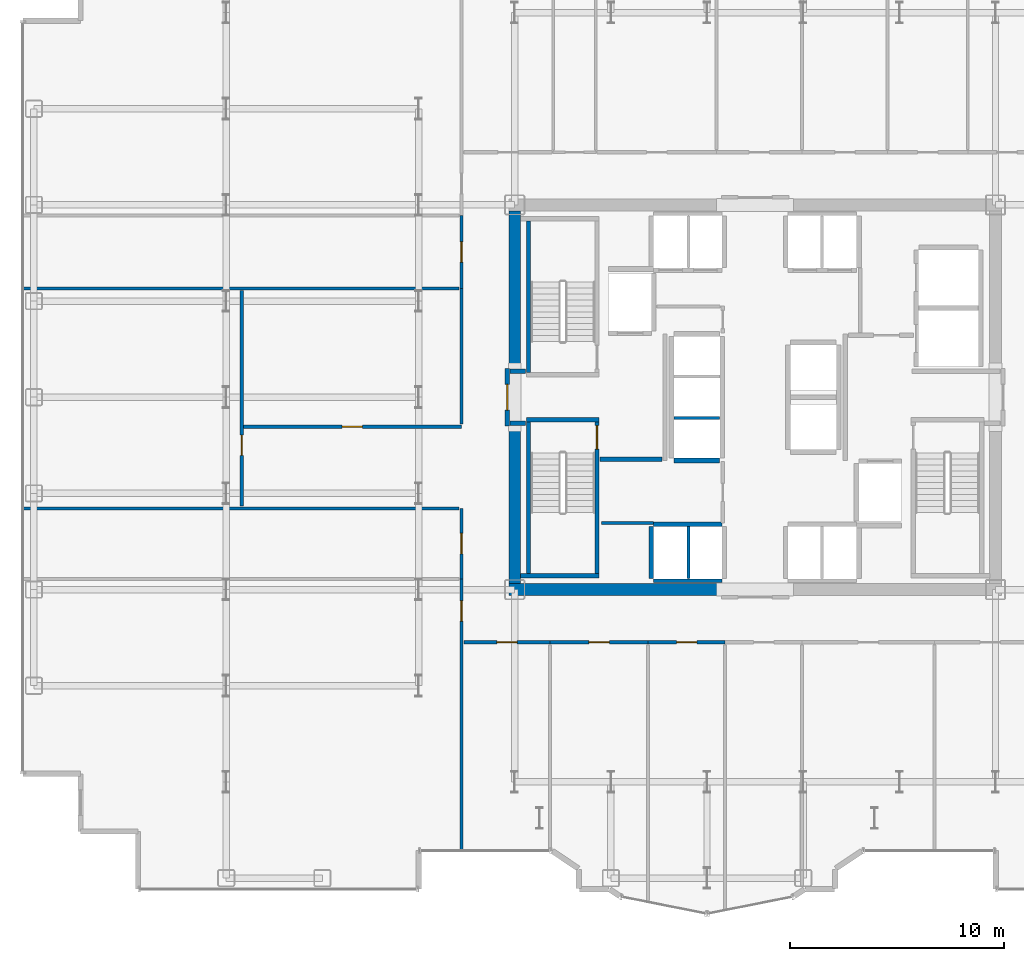
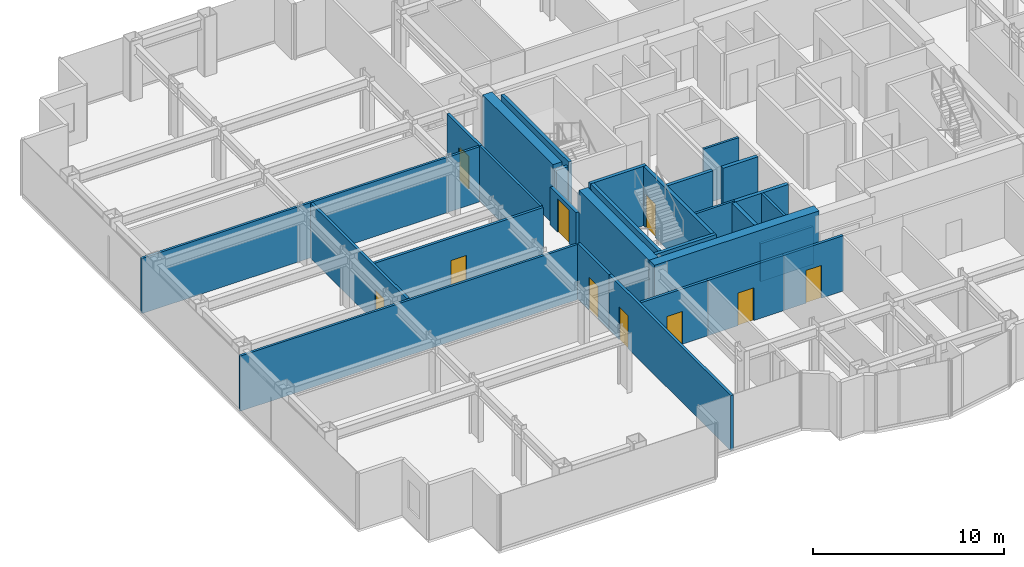
# One storey, part 20 of 26: 30 walls, 10 doors, 10 openings.
"""IFC4 building model written with IfcOpenShell, lengths in metres."""

from ifc_helpers import new_model, si_unit, direction, frame, frame_2d, origin, place, context, subcontext, project, spatial, rectangle, extrude, source, transform, mapped, material, layer, layer_set, type_object, element, fill, save


model = new_model("IFC4")

# Units and contexts
model_context = context("Model", 3, precision=1e-05, world=origin(), true_north=direction((0.0, 1.0)))
body_context = subcontext(model_context, "Body", "Model", "MODEL_VIEW")
ifc_project = project(units=[si_unit("LENGTHUNIT", "METRE"), si_unit("AREAUNIT", "SQUARE_METRE"), si_unit("VOLUMEUNIT", "CUBIC_METRE"), si_unit("PLANEANGLEUNIT", "RADIAN"), si_unit("MASSUNIT", "GRAM", prefix="KILO")], contexts=[model_context])

# Site, building, storey
site_placement = place(None, origin())
site = spatial("IfcSite", under=ifc_project, at=site_placement, CompositionType="ELEMENT")
building_placement = place(site_placement, origin())
building = spatial("IfcBuilding", under=site, at=building_placement, Name="Nefas-Gora Pilgrimage Tower", CompositionType="ELEMENT")
storey_placement = place(building_placement, frame((0.0, 0.0, 117.39990234375)))
storey = spatial("IfcBuildingStorey", under=building, at=storey_placement, Name="L28", CompositionType="ELEMENT", Elevation=117.39990234375)

# Walls
ifc_material_1 = material(Name="Concrete C60/75", Category="concrete")
ifc_layer_1 = layer(ifc_material_1, 0.550048828125)
ifc_layer_set_1 = layer_set([ifc_layer_1], Name="Concrete C60/75")
wall_type_1 = type_object("IfcWallType", Name="SW-CORE-550", PredefinedType="SHEAR", material=ifc_layer_set_1)
shared_shape_1 = source(origin(), body_context, "Body", "SweptSolid", [
    extrude(rectangle(XDim=9.974853515625, YDim=0.550048828125, at=frame_2d((4.9873046875, 0.0))), origin(), (0.0, 0.0, 1.0), 3.800048828125),
])
wall_1_placement = place(storey_placement, frame((-11.52490234375, -9.0, 0.0), z_axis=(0.0, 0.0, 1.0), x_axis=(1.0, 0.0, 0.0)))
element("IfcWall", 1, at=wall_1_placement, inside=storey, type_object=wall_type_1, Name="L28 Core Shear Wall S-West", PredefinedType="SHEAR", context=body_context, shape_type="MappedRepresentation", body=[
    mapped(shared_shape_1, transform((0.0, 0.0, 0.0), x_axis=(1.0, 0.0, 0.0), y_axis=(0.0, 1.0, 0.0), z_axis=(0.0, 0.0, 1.0), scale=1.0)),
])
shared_shape_2 = source(origin(), body_context, "Body", "SweptSolid", [
    extrude(rectangle(XDim=7.375, YDim=0.550048828125, at=frame_2d((3.6875, 0.0))), origin(), (0.0, 0.0, 1.0), 3.800048828125),
])
for number, where, z_axis, x_axis, name in (
    (2, (-11.25, -8.72509765625, 0.0), (0.0, 0.0, 1.0), (0.0, 1.0, 0.0), "L28 Core Shear Wall W-South"),
    (3, (-11.25, 1.35009765625, 0.0), (0.0, 0.0, 1.0), (0.0, 1.0, 0.0), "L28 Core Shear Wall W-North"),
):
    element("IfcWall", number, at=place(storey_placement, frame(where, z_axis=z_axis, x_axis=x_axis)), inside=storey, type_object=wall_type_1, Name=name, PredefinedType="SHEAR", context=body_context, shape_type="MappedRepresentation", body=[
        mapped(shared_shape_2, transform((0.0, 0.0, 0.0), x_axis=(1.0, 0.0, 0.0), y_axis=(0.0, 1.0, 0.0), z_axis=(0.0, 0.0, 1.0), scale=1.0)),
    ])
ifc_material_2 = material(Name="Concrete C45/55", Category="concrete")
ifc_layer_2 = layer(ifc_material_2, 0.199951171875)
ifc_layer_set_2 = layer_set([ifc_layer_2], Name="Concrete C45/55")
wall_type_2 = type_object("IfcWallType", Name="IW-STAIR-200", PredefinedType="SOLIDWALL", material=ifc_layer_set_2)
shared_shape_3 = source(origin(), body_context, "Body", "SweptSolid", [
    extrude(rectangle(XDim=3.39990234375, YDim=0.199951171875, at=frame_2d((1.699951171875, 0.0))), origin(), (0.0, 0.0, 1.0), 3.800048828125),
])
wall_2_placement = place(storey_placement, frame((-10.699951171875, -1.050048828125, 0.0), z_axis=(0.0, 0.0, 1.0), x_axis=(1.0, 0.0, 0.0)))
element("IfcWall", 4, at=wall_2_placement, inside=storey, type_object=wall_type_2, Name="L28 Stairwell Shear Wall ST-03-near", PredefinedType="SOLIDWALL", context=body_context, shape_type="MappedRepresentation", body=[
    mapped(shared_shape_3, transform((0.0, 0.0, 0.0), x_axis=(1.0, 0.0, 0.0), y_axis=(0.0, 1.0, 0.0), z_axis=(0.0, 0.0, 1.0), scale=1.0)),
])
shared_shape_4 = source(origin(), body_context, "Body", "SweptSolid", [
    extrude(rectangle(XDim=7.10009765625, YDim=0.199951171875, at=frame_2d((3.550048828125, 0.0))), origin(), (0.0, 0.0, 1.0), 3.800048828125),
])
for number, where, z_axis, x_axis, name in (
    (5, (-10.60009765625, 1.14990234375, 0.0), (0.0, 0.0, 1.0), (0.0, 1.0, 0.0), "L28 Stairwell Shear Wall ST-01-right"),
    (6, (-10.60009765625, -1.14990234375, 0.0), (0.0, 0.0, 1.0), (0.0, -1.0, 0.0), "L28 Stairwell Shear Wall ST-03-left"),
):
    element("IfcWall", number, at=place(storey_placement, frame(where, z_axis=z_axis, x_axis=x_axis)), inside=storey, type_object=wall_type_2, Name=name, PredefinedType="SOLIDWALL", context=body_context, shape_type="MappedRepresentation", body=[
        mapped(shared_shape_4, transform((0.0, 0.0, 0.0), x_axis=(1.0, 0.0, 0.0), y_axis=(0.0, 1.0, 0.0), z_axis=(0.0, 0.0, 1.0), scale=1.0)),
    ])

# Wall, opening, door
wall_3_placement = place(storey_placement, frame((-7.39990234375, -1.14990234375, 0.0), z_axis=(0.0, 0.0, 1.0), x_axis=(0.0, -1.0, 0.0)))
wall_3 = element("IfcWall", 7, at=wall_3_placement, inside=storey, type_object=wall_type_2, Name="L28 Stairwell Shear Wall ST-03-right", PredefinedType="SOLIDWALL", context=body_context, shape_type="MappedRepresentation", body=[
    mapped(shared_shape_4, transform((0.0, 0.0, 0.0), x_axis=(1.0, 0.0, 0.0), y_axis=(0.0, 1.0, 0.0), z_axis=(0.0, 0.0, 1.0), scale=1.0)),
])
opening_1_placement = place(wall_3_placement, frame((0.179931640625, 0.0, 0.0)))
opening_1 = element("IfcOpeningElement", 8, at=opening_1_placement, cuts=wall_3, Name="Opening ID-ST1", PredefinedType="OPENING", context=body_context, shape_type="SweptSolid", body=[
    extrude(rectangle(XDim=1.10009765625, YDim=2.14990234375, at=frame_2d((0.550048828125, 1.074951171875))), frame((0.0, 0.10986328125, 0.0), z_axis=(0.0, -1.0, 0.0), x_axis=(1.0, 0.0, 0.0)), (0.0, 0.0, 1.0), 0.219970703125),
])
ifc_material_3 = material(Name="Painted galvanised steel fire stair door", Category="steel")
door_type_1 = type_object("IfcDoorType", Name="DR-INT-STAIR-1100", OperationType="NOTDEFINED", PredefinedType="DOOR", material=ifc_material_3)
shared_shape_5 = source(origin(), body_context, "Body", "SweptSolid", [
    extrude(rectangle(XDim=1.10009765625, YDim=2.14990234375, at=frame_2d((0.550048828125, 1.074951171875))), frame((0.0, 0.02490234375, 0.0), z_axis=(0.0, -1.0, 0.0), x_axis=(1.0, 0.0, 0.0)), (0.0, 0.0, 1.0), 0.050048828125),
])
door_1_placement = place(opening_1_placement, origin())
door_1 = element("IfcDoor", 9, at=door_1_placement, inside=storey, type_object=door_type_1, Name="L28 Protected Exit Stair Door ST-03", OperationType="SINGLE_SWING_RIGHT", OverallHeight=2.14990234375, OverallWidth=1.10009765625, PredefinedType="DOOR", context=body_context, shape_type="MappedRepresentation", body=[
    mapped(shared_shape_5, transform((0.0, 0.0, 0.0), x_axis=(1.0, 0.0, 0.0), y_axis=(0.0, 1.0, 0.0), z_axis=(0.0, 0.0, 1.0), scale=1.0)),
])
fill(opening_1, door_1)

# Walls
shared_shape_6 = source(origin(), body_context, "Body", "SweptSolid", [
    extrude(rectangle(XDim=3.679931640625, YDim=0.199951171875, at=frame_2d((1.83984375, 0.0))), origin(), (0.0, 0.0, 1.0), 3.800048828125),
])
wall_4_placement = place(storey_placement, frame((-10.97998046875, -8.35009765625, 0.0), z_axis=(0.0, 0.0, 1.0), x_axis=(1.0, 0.0, 0.0)))
element("IfcWall", 10, at=wall_4_placement, inside=storey, type_object=wall_type_2, Name="L28 Stairwell Shear Wall ST-03-far", PredefinedType="SOLIDWALL", context=body_context, shape_type="MappedRepresentation", body=[
    mapped(shared_shape_6, transform((0.0, 0.0, 0.0), x_axis=(1.0, 0.0, 0.0), y_axis=(0.0, 1.0, 0.0), z_axis=(0.0, 0.0, 1.0), scale=1.0)),
])
ifc_material_4 = material(Name="Gypsum acoustic stud partition")
ifc_layer_3 = layer(ifc_material_4, 0.159912109375)
ifc_layer_set_3 = layer_set([ifc_layer_3], Name="Gypsum acoustic stud partition")
wall_type_3 = type_object("IfcWallType", Name="IW-CORR-160", PredefinedType="PARTITIONING", material=ifc_layer_set_3)
shared_shape_7 = source(origin(), body_context, "Body", "SweptSolid", [
    extrude(rectangle(XDim=3.199951171875, YDim=0.159912109375, at=frame_2d((1.60009765625, 0.0))), origin(), (0.0, 0.0, 1.0), 2.425048828125),
])
wall_5_placement = place(storey_placement, frame((-4.75, -8.580078125, 0.0), z_axis=(0.0, 0.0, 1.0), x_axis=(1.0, 0.0, 0.0)))
element("IfcWall", 11, at=wall_5_placement, inside=storey, type_object=wall_type_3, Name="L28 Hoistway Wall PL2-W-S", PredefinedType="PARTITIONING", context=body_context, shape_type="MappedRepresentation", body=[
    mapped(shared_shape_7, transform((0.0, 0.0, 0.0), x_axis=(1.0, 0.0, 0.0), y_axis=(0.0, 1.0, 0.0), z_axis=(0.0, 0.0, 1.0), scale=1.0)),
])
ifc_material_5 = material(Name="Concrete C40/50", Category="concrete")
ifc_layer_4 = layer(ifc_material_5, 0.219970703125)
ifc_layer_set_4 = layer_set([ifc_layer_4], Name="Concrete C40/50")
wall_type_4 = type_object("IfcWallType", Name="IW-SHAFT-220", PredefinedType="SOLIDWALL", material=ifc_layer_set_4)
shared_shape_8 = source(origin(), body_context, "Body", "SweptSolid", [
    extrude(rectangle(XDim=3.199951171875, YDim=0.219970703125, at=frame_2d((1.60009765625, 0.0))), origin(), (0.0, 0.0, 1.0), 3.53515625),
])
wall_6_placement = place(storey_placement, frame((-1.550048828125, -5.93994140625, 0.0), z_axis=(0.0, 0.0, 1.0), x_axis=(-1.0, 0.0, 0.0)))
element("IfcWall", 12, at=wall_6_placement, inside=storey, type_object=wall_type_4, Name="L28 Hoistway Wall PL2-W-N", PredefinedType="SOLIDWALL", context=body_context, shape_type="MappedRepresentation", body=[
    mapped(shared_shape_8, transform((0.0, 0.0, 0.0), x_axis=(1.0, 0.0, 0.0), y_axis=(0.0, 1.0, 0.0), z_axis=(0.0, 0.0, 1.0), scale=1.0)),
])
shared_shape_9 = source(origin(), body_context, "Body", "SweptSolid", [
    extrude(rectangle(XDim=2.429931640625, YDim=0.219970703125, at=frame_2d((1.21484375, 0.0))), origin(), (0.0, 0.0, 1.0), 3.53515625),
])
wall_7_placement = place(storey_placement, frame((-4.860107421875, -6.06005859375, 0.0), z_axis=(0.0, 0.0, 1.0), x_axis=(0.0, -1.0, 0.0)))
element("IfcWall", 13, at=wall_7_placement, inside=storey, type_object=wall_type_4, Name="L28 Hoistway Wall PL2-W-W", PredefinedType="SOLIDWALL", context=body_context, shape_type="MappedRepresentation", body=[
    mapped(shared_shape_9, transform((0.0, 0.0, 0.0), x_axis=(1.0, 0.0, 0.0), y_axis=(0.0, 1.0, 0.0), z_axis=(0.0, 0.0, 1.0), scale=1.0)),
])
ifc_material_6 = material(Name="Gypsum twin-stud partition")
ifc_layer_5 = layer(ifc_material_6, 0.139892578125)
ifc_layer_set_5 = layer_set([ifc_layer_5], Name="Gypsum twin-stud partition")
wall_type_5 = type_object("IfcWallType", Name="IW-UNIT-140", PredefinedType="PARTITIONING", material=ifc_layer_set_5)
shared_shape_10 = source(origin(), body_context, "Body", "SweptSolid", [
    extrude(rectangle(XDim=2.429931640625, YDim=0.139892578125, at=frame_2d((1.21484375, 0.0))), origin(), (0.0, 0.0, 1.0), 3.53515625),
])
wall_8_placement = place(storey_placement, frame((-3.125, -8.489990234375, 0.0), z_axis=(0.0, 0.0, 1.0), x_axis=(0.0, 1.0, 0.0)))
element("IfcWall", 14, at=wall_8_placement, inside=storey, type_object=wall_type_5, Name="L28 Hoistway Wall PL2-W-DIV", PredefinedType="PARTITIONING", context=body_context, shape_type="MappedRepresentation", body=[
    mapped(shared_shape_10, transform((0.0, 0.0, 0.0), x_axis=(1.0, 0.0, 0.0), y_axis=(0.0, 1.0, 0.0), z_axis=(0.0, 0.0, 1.0), scale=1.0)),
])
shared_shape_11 = source(origin(), body_context, "Body", "SweptSolid", [
    extrude(rectangle(XDim=2.130126953125, YDim=0.219970703125, at=frame_2d((1.06494140625, 0.0))), origin(), (0.0, 0.0, 1.0), 3.53515625),
])
wall_9_placement = place(storey_placement, frame((-3.7900390625, -2.9599609375, 0.0), z_axis=(0.0, 0.0, 1.0), x_axis=(1.0, 0.0, 0.0)))
element("IfcWall", 15, at=wall_9_placement, inside=storey, type_object=wall_type_4, Name="L28 Hoistway Wall PL3-01-S", PredefinedType="SOLIDWALL", context=body_context, shape_type="MappedRepresentation", body=[
    mapped(shared_shape_11, transform((0.0, 0.0, 0.0), x_axis=(1.0, 0.0, 0.0), y_axis=(0.0, 1.0, 0.0), z_axis=(0.0, 0.0, 1.0), scale=1.0)),
])
shared_shape_12 = source(origin(), body_context, "Body", "SweptSolid", [
    extrude(rectangle(XDim=2.130126953125, YDim=0.139892578125, at=frame_2d((1.06494140625, 0.0))), origin(), (0.0, 0.0, 1.0), 3.53515625),
])
wall_10_placement = place(storey_placement, frame((-3.7900390625, -0.97509765625, 0.0), z_axis=(0.0, 0.0, 1.0), x_axis=(1.0, 0.0, 0.0)))
element("IfcWall", 16, at=wall_10_placement, inside=storey, type_object=wall_type_5, Name="L28 Hoistway Wall PL3-01-02-DIV", PredefinedType="PARTITIONING", context=body_context, shape_type="MappedRepresentation", body=[
    mapped(shared_shape_12, transform((0.0, 0.0, 0.0), x_axis=(1.0, 0.0, 0.0), y_axis=(0.0, 1.0, 0.0), z_axis=(0.0, 0.0, 1.0), scale=1.0)),
])

# Wall, opening, door
ifc_material_7 = material(Name="Gypsum fire-rated shaftwall")
ifc_layer_6 = layer(ifc_material_7, 0.199951171875)
ifc_layer_set_6 = layer_set([ifc_layer_6], Name="Gypsum fire-rated shaftwall")
wall_type_6 = type_object("IfcWallType", Name="IW-FFLOB-200", PredefinedType="PARTITIONING", material=ifc_layer_set_6)
shared_shape_13 = source(origin(), body_context, "Body", "SweptSolid", [
    extrude(rectangle(XDim=2.7001953125, YDim=0.199951171875, at=frame_2d((1.35009765625, 0.0))), origin(), (0.0, 0.0, 1.0), 2.425048828125),
])
wall_11_placement = place(storey_placement, frame((-11.60009765625, -1.35009765625, 0.0), z_axis=(0.0, 0.0, 1.0), x_axis=(0.0, 1.0, 0.0)))
wall_11 = element("IfcWall", 17, at=wall_11_placement, inside=storey, type_object=wall_type_6, Name="L28 FF Lobby West Portal Wall 3", PredefinedType="PARTITIONING", context=body_context, shape_type="MappedRepresentation", body=[
    mapped(shared_shape_13, transform((0.0, 0.0, 0.0), x_axis=(1.0, 0.0, 0.0), y_axis=(0.0, 1.0, 0.0), z_axis=(0.0, 0.0, 1.0), scale=1.0)),
])
opening_2_placement = place(wall_11_placement, frame((0.75, 0.0, 0.0)))
opening_2 = element("IfcOpeningElement", 18, at=opening_2_placement, cuts=wall_11, Name="Opening ID-FF1", PredefinedType="OPENING", context=body_context, shape_type="SweptSolid", body=[
    extrude(rectangle(XDim=1.199951171875, YDim=2.14990234375, at=frame_2d((0.60009765625, 1.074951171875))), frame((0.0, 0.10986328125, 0.0), z_axis=(0.0, -1.0, 0.0), x_axis=(1.0, 0.0, 0.0)), (0.0, 0.0, 1.0), 0.219970703125),
])
ifc_material_8 = material(Name="Smoke-sealed steel firefighting lobby door", Category="steel")
door_type_2 = type_object("IfcDoorType", Name="DR-INT-FFLOB-1200", OperationType="NOTDEFINED", PredefinedType="DOOR", material=ifc_material_8)
shared_shape_14 = source(origin(), body_context, "Body", "SweptSolid", [
    extrude(rectangle(XDim=1.199951171875, YDim=2.14990234375, at=frame_2d((0.60009765625, 1.074951171875))), frame((0.0, 0.02490234375, 0.0), z_axis=(0.0, -1.0, 0.0), x_axis=(1.0, 0.0, 0.0)), (0.0, 0.0, 1.0), 0.050048828125),
])
door_2_placement = place(opening_2_placement, origin())
door_2 = element("IfcDoor", 19, at=door_2_placement, inside=storey, type_object=door_type_2, Name="L28 FF Lobby West Portal Door 1", OperationType="SINGLE_SWING_RIGHT", OverallHeight=2.14990234375, OverallWidth=1.199951171875, PredefinedType="DOOR", context=body_context, shape_type="MappedRepresentation", body=[
    mapped(shared_shape_14, transform((0.0, 0.0, 0.0), x_axis=(1.0, 0.0, 0.0), y_axis=(0.0, 1.0, 0.0), z_axis=(0.0, 0.0, 1.0), scale=1.0)),
])
fill(opening_2, door_2)

# Walls
shared_shape_15 = source(origin(), body_context, "Body", "SweptSolid", [
    extrude(rectangle(XDim=2.89990234375, YDim=0.199951171875, at=frame_2d((1.449951171875, 0.0))), origin(), (0.0, 0.0, 1.0), 3.53515625),
])
wall_12_placement = place(storey_placement, frame((-7.260009765625, -2.89990234375, 0.0), z_axis=(0.0, 0.0, 1.0), x_axis=(1.0, 0.0, 0.0)))
element("IfcWall", 20, at=wall_12_placement, inside=storey, type_object=wall_type_6, Name="L28 FF Lobby West South Wall Wall 5", PredefinedType="PARTITIONING", context=body_context, shape_type="MappedRepresentation", body=[
    mapped(shared_shape_15, transform((0.0, 0.0, 0.0), x_axis=(1.0, 0.0, 0.0), y_axis=(0.0, 1.0, 0.0), z_axis=(0.0, 0.0, 1.0), scale=1.0)),
])
shared_shape_16 = source(origin(), body_context, "Body", "SweptSolid", [
    extrude(rectangle(XDim=0.719970703125, YDim=0.199951171875, at=frame_2d((0.35986328125, 0.0))), origin(), (0.0, 0.0, 1.0), 3.53515625),
])
for number, where, z_axis, x_axis, name in (
    (21, (-11.4599609375, 1.219970703125, 0.0), (0.0, 0.0, 1.0), (1.0, 0.0, 0.0), "L28 FF Lobby West Throat N Wall 6"),
    (22, (-11.4599609375, -1.219970703125, 0.0), (0.0, 0.0, 1.0), (1.0, 0.0, 0.0), "L28 FF Lobby West Throat S Wall 7"),
):
    element("IfcWall", number, at=place(storey_placement, frame(where, z_axis=z_axis, x_axis=x_axis)), inside=storey, type_object=wall_type_6, Name=name, PredefinedType="PARTITIONING", context=body_context, shape_type="MappedRepresentation", body=[
        mapped(shared_shape_16, transform((0.0, 0.0, 0.0), x_axis=(1.0, 0.0, 0.0), y_axis=(0.0, 1.0, 0.0), z_axis=(0.0, 0.0, 1.0), scale=1.0)),
    ])

# Wall, opening, door
shared_shape_17 = source(origin(), body_context, "Body", "SweptSolid", [
    extrude(rectangle(XDim=12.744873046875, YDim=0.159912109375, at=frame_2d((6.37255859375, 0.0))), origin(), (0.0, 0.0, 1.0), 3.53515625),
])
wall_13_placement = place(storey_placement, frame((-13.739990234375, -21.239990234375, 0.0), z_axis=(0.0, 0.0, 1.0), x_axis=(0.0, 1.0, 0.0)))
wall_13 = element("IfcWall", 23, at=wall_13_placement, inside=storey, type_object=wall_type_3, Name="L28 Pilgrim Devotional Prayer Gallery Partition Wall 23", PredefinedType="PARTITIONING", context=body_context, shape_type="MappedRepresentation", body=[
    mapped(shared_shape_17, transform((0.0, 0.0, 0.0), x_axis=(1.0, 0.0, 0.0), y_axis=(0.0, 1.0, 0.0), z_axis=(0.0, 0.0, 1.0), scale=1.0)),
])
opening_3_placement = place(wall_13_placement, frame((10.762451171875, 0.0, 0.0)))
opening_3 = element("IfcOpeningElement", 24, at=opening_3_placement, cuts=wall_13, Name="Opening ID-GR1", PredefinedType="OPENING", context=body_context, shape_type="SweptSolid", body=[
    extrude(rectangle(XDim=0.949951171875, YDim=2.10009765625, at=frame_2d((0.47509765625, 1.050048828125))), frame((0.0, 0.08984375, 0.0), z_axis=(0.0, -1.0, 0.0), x_axis=(1.0, 0.0, 0.0)), (0.0, 0.0, 1.0), 0.179931640625),
])
ifc_material_9 = material(Name="Solid core oak fire-rated guest entrance door")
door_type_3 = type_object("IfcDoorType", Name="DR-INT-GUEST-950", OperationType="NOTDEFINED", PredefinedType="DOOR", material=ifc_material_9)
shared_shape_18 = source(origin(), body_context, "Body", "SweptSolid", [
    extrude(rectangle(XDim=0.949951171875, YDim=2.10009765625, at=frame_2d((0.47509765625, 1.050048828125))), frame((0.0, 0.02490234375, 0.0), z_axis=(0.0, -1.0, 0.0), x_axis=(1.0, 0.0, 0.0)), (0.0, 0.0, 1.0), 0.050048828125),
])
door_3_placement = place(opening_3_placement, origin())
door_3 = element("IfcDoor", 25, at=door_3_placement, inside=storey, type_object=door_type_3, Name="L28 Pilgrim Devotional Prayer Gallery Door 9", OperationType="SINGLE_SWING_RIGHT", OverallHeight=2.10009765625, OverallWidth=0.949951171875, PredefinedType="DOOR", context=body_context, shape_type="MappedRepresentation", body=[
    mapped(shared_shape_18, transform((0.0, 0.0, 0.0), x_axis=(1.0, 0.0, 0.0), y_axis=(0.0, 1.0, 0.0), z_axis=(0.0, 0.0, 1.0), scale=1.0)),
])
fill(opening_3, door_3)

shared_shape_19 = source(origin(), body_context, "Body", "SweptSolid", [
    extrude(rectangle(XDim=3.409912109375, YDim=0.159912109375, at=frame_2d((1.705078125, 0.0))), origin(), (0.0, 0.0, 1.0), 3.53515625),
])
wall_14_placement = place(storey_placement, frame((-13.739990234375, 5.094970703125, 0.0), z_axis=(0.0, 0.0, 1.0), x_axis=(0.0, 1.0, 0.0)))
wall_14 = element("IfcWall", 26, at=wall_14_placement, inside=storey, type_object=wall_type_3, Name="L28 Pilgrim Fellowship Seminar Room Partition Wall 31", PredefinedType="PARTITIONING", context=body_context, shape_type="MappedRepresentation", body=[
    mapped(shared_shape_19, transform((0.0, 0.0, 0.0), x_axis=(1.0, 0.0, 0.0), y_axis=(0.0, 1.0, 0.0), z_axis=(0.0, 0.0, 1.0), scale=1.0)),
])
opening_4_placement = place(wall_14_placement, frame((1.22998046875, 0.0, 0.0)))
opening_4 = element("IfcOpeningElement", 27, at=opening_4_placement, cuts=wall_14, Name="Opening ID-GR1", PredefinedType="OPENING", context=body_context, shape_type="SweptSolid", body=[
    extrude(rectangle(XDim=0.949951171875, YDim=2.10009765625, at=frame_2d((0.47509765625, 1.050048828125))), frame((0.0, 0.08984375, 0.0), z_axis=(0.0, -1.0, 0.0), x_axis=(1.0, 0.0, 0.0)), (0.0, 0.0, 1.0), 0.179931640625),
])
door_4_placement = place(opening_4_placement, origin())
door_4 = element("IfcDoor", 28, at=door_4_placement, inside=storey, type_object=door_type_3, Name="L28 Pilgrim Fellowship Seminar Room Door 13", OperationType="SINGLE_SWING_RIGHT", OverallHeight=2.10009765625, OverallWidth=0.949951171875, PredefinedType="DOOR", context=body_context, shape_type="MappedRepresentation", body=[
    mapped(shared_shape_18, transform((0.0, 0.0, 0.0), x_axis=(1.0, 0.0, 0.0), y_axis=(0.0, 1.0, 0.0), z_axis=(0.0, 0.0, 1.0), scale=1.0)),
])
fill(opening_4, door_4)

shared_shape_20 = source(origin(), body_context, "Body", "SweptSolid", [
    extrude(rectangle(XDim=10.25, YDim=0.159912109375, at=frame_2d((5.125, 0.0))), origin(), (0.0, 0.0, 1.0), 3.53515625),
])
wall_15_placement = place(storey_placement, frame((-23.97998046875, -1.3798828125, 0.0), z_axis=(0.0, 0.0, 1.0), x_axis=(1.0, 0.0, 0.0)))
wall_15 = element("IfcWall", 29, at=wall_15_placement, inside=storey, type_object=wall_type_3, Name="L28 Pilgrim Devotional Prayer Gallery Partition Wall 27", PredefinedType="PARTITIONING", context=body_context, shape_type="MappedRepresentation", body=[
    mapped(shared_shape_20, transform((0.0, 0.0, 0.0), x_axis=(1.0, 0.0, 0.0), y_axis=(0.0, 1.0, 0.0), z_axis=(0.0, 0.0, 1.0), scale=1.0)),
])
opening_5_placement = place(wall_15_placement, frame((4.64990234375, 0.0, 0.0)))
opening_5 = element("IfcOpeningElement", 30, at=opening_5_placement, cuts=wall_15, Name="Opening ID-GR1", PredefinedType="OPENING", context=body_context, shape_type="SweptSolid", body=[
    extrude(rectangle(XDim=0.949951171875, YDim=2.10009765625, at=frame_2d((0.47509765625, 1.050048828125))), frame((0.0, 0.08984375, 0.0), z_axis=(0.0, -1.0, 0.0), x_axis=(1.0, 0.0, 0.0)), (0.0, 0.0, 1.0), 0.179931640625),
])
door_5_placement = place(opening_5_placement, origin())
door_5 = element("IfcDoor", 31, at=door_5_placement, inside=storey, type_object=door_type_3, Name="L28 Pilgrim Devotional Prayer Gallery Door 11", OperationType="SINGLE_SWING_RIGHT", OverallHeight=2.10009765625, OverallWidth=0.949951171875, PredefinedType="DOOR", context=body_context, shape_type="MappedRepresentation", body=[
    mapped(shared_shape_18, transform((0.0, 0.0, 0.0), x_axis=(1.0, 0.0, 0.0), y_axis=(0.0, 1.0, 0.0), z_axis=(0.0, 0.0, 1.0), scale=1.0)),
])
fill(opening_5, door_5)

# Walls
shared_shape_21 = source(origin(), body_context, "Body", "SweptSolid", [
    extrude(rectangle(XDim=2.43505859375, YDim=0.139892578125, at=frame_2d((1.217529296875, 0.0))), origin(), (0.0, 0.0, 1.0), 3.53515625),
])
wall_16_placement = place(storey_placement, frame((-7.18994140625, -5.8798828125, 0.0), z_axis=(0.0, 0.0, 1.0), x_axis=(1.0, 0.0, 0.0)))
element("IfcWall", 32, at=wall_16_placement, inside=storey, type_object=wall_type_5, Name="L28 Pilgrim Baggage and Gear Vault Partition Wall 19", PredefinedType="PARTITIONING", context=body_context, shape_type="MappedRepresentation", body=[
    mapped(shared_shape_21, transform((0.0, 0.0, 0.0), x_axis=(1.0, 0.0, 0.0), y_axis=(0.0, 1.0, 0.0), z_axis=(0.0, 0.0, 1.0), scale=1.0)),
])
shared_shape_22 = source(origin(), body_context, "Body", "SweptSolid", [
    extrude(rectangle(XDim=20.429931640625, YDim=0.139892578125, at=frame_2d((10.21484375, 0.0))), origin(), (0.0, 0.0, 1.0), 3.53515625),
])
wall_17_placement = place(storey_placement, frame((-34.2900390625, -5.205078125, 0.0), z_axis=(0.0, 0.0, 1.0), x_axis=(1.0, 0.0, 0.0)))
element("IfcWall", 33, at=wall_17_placement, inside=storey, type_object=wall_type_5, Name="L28 Pilgrim Devotional Prayer Gallery Partition Wall 26", PredefinedType="PARTITIONING", context=body_context, shape_type="MappedRepresentation", body=[
    mapped(shared_shape_22, transform((0.0, 0.0, 0.0), x_axis=(1.0, 0.0, 0.0), y_axis=(0.0, 1.0, 0.0), z_axis=(0.0, 0.0, 1.0), scale=1.0)),
])

# Wall, opening, door
shared_shape_23 = source(origin(), body_context, "Body", "SweptSolid", [
    extrude(rectangle(XDim=3.309814453125, YDim=0.159912109375, at=frame_2d((1.65478515625, 0.0))), origin(), (0.0, 0.0, 1.0), 3.53515625),
])
wall_18_placement = place(storey_placement, frame((-13.739990234375, -8.5048828125, 0.0), z_axis=(0.0, 0.0, 1.0), x_axis=(0.0, 1.0, 0.0)))
wall_18 = element("IfcWall", 34, at=wall_18_placement, inside=storey, type_object=wall_type_3, Name="L28 Pilgrim Devotional Prayer Gallery Partition Wall 25", PredefinedType="PARTITIONING", context=body_context, shape_type="MappedRepresentation", body=[
    mapped(shared_shape_23, transform((0.0, 0.0, 0.0), x_axis=(1.0, 0.0, 0.0), y_axis=(0.0, 1.0, 0.0), z_axis=(0.0, 0.0, 1.0), scale=1.0)),
])
opening_6_placement = place(wall_18_placement, frame((1.179931640625, 0.0, 0.0)))
opening_6 = element("IfcOpeningElement", 35, at=opening_6_placement, cuts=wall_18, Name="Opening ID-GR1", PredefinedType="OPENING", context=body_context, shape_type="SweptSolid", body=[
    extrude(rectangle(XDim=0.949951171875, YDim=2.10009765625, at=frame_2d((0.47509765625, 1.050048828125))), frame((0.0, 0.08984375, 0.0), z_axis=(0.0, -1.0, 0.0), x_axis=(1.0, 0.0, 0.0)), (0.0, 0.0, 1.0), 0.179931640625),
])
door_6_placement = place(opening_6_placement, origin())
door_6 = element("IfcDoor", 36, at=door_6_placement, inside=storey, type_object=door_type_3, Name="L28 Pilgrim Devotional Prayer Gallery Door 10", OperationType="SINGLE_SWING_LEFT", OverallHeight=2.10009765625, OverallWidth=0.949951171875, PredefinedType="DOOR", context=body_context, shape_type="MappedRepresentation", body=[
    mapped(shared_shape_18, transform((0.0, 0.0, 0.0), x_axis=(1.0, 0.0, 0.0), y_axis=(0.0, 1.0, 0.0), z_axis=(0.0, 0.0, 1.0), scale=1.0)),
])
fill(opening_6, door_6)

# Wall
shared_shape_24 = source(origin(), body_context, "Body", "SweptSolid", [
    extrude(rectangle(XDim=20.43994140625, YDim=0.139892578125, at=frame_2d((10.219970703125, 0.0))), origin(), (0.0, 0.0, 1.0), 3.53515625),
])
wall_19_placement = place(storey_placement, frame((-34.2900390625, 5.094970703125, 0.0), z_axis=(0.0, 0.0, 1.0), x_axis=(1.0, 0.0, 0.0)))
element("IfcWall", 37, at=wall_19_placement, inside=storey, type_object=wall_type_5, Name="L28 Pilgrim Devotional Prayer Gallery Partition Wall 29", PredefinedType="PARTITIONING", context=body_context, shape_type="MappedRepresentation", body=[
    mapped(shared_shape_24, transform((0.0, 0.0, 0.0), x_axis=(1.0, 0.0, 0.0), y_axis=(0.0, 1.0, 0.0), z_axis=(0.0, 0.0, 1.0), scale=1.0)),
])

# Wall, opening, door
shared_shape_25 = source(origin(), body_context, "Body", "SweptSolid", [
    extrude(rectangle(XDim=4.60986328125, YDim=0.159912109375, at=frame_2d((2.304931640625, 0.0))), origin(), (0.0, 0.0, 1.0), 3.53515625),
])
wall_20_placement = place(storey_placement, frame((-9.60498046875, -11.469970703125, 0.0), z_axis=(0.0, 0.0, 1.0), x_axis=(1.0, 0.0, 0.0)))
wall_20 = element("IfcWall", 38, at=wall_20_placement, inside=storey, type_object=wall_type_3, Name="L28 Pilgrim Contemplative Lounge Partition Wall 56", PredefinedType="PARTITIONING", context=body_context, shape_type="MappedRepresentation", body=[
    mapped(shared_shape_25, transform((0.0, 0.0, 0.0), x_axis=(1.0, 0.0, 0.0), y_axis=(0.0, 1.0, 0.0), z_axis=(0.0, 0.0, 1.0), scale=1.0)),
])
opening_7_placement = place(wall_20_placement, frame((1.830078125, 0.0, 0.0)))
opening_7 = element("IfcOpeningElement", 39, at=opening_7_placement, cuts=wall_20, Name="Opening ID-GR1", PredefinedType="OPENING", context=body_context, shape_type="SweptSolid", body=[
    extrude(rectangle(XDim=0.949951171875, YDim=2.10009765625, at=frame_2d((0.47509765625, 1.050048828125))), frame((0.0, 0.08984375, 0.0), z_axis=(0.0, -1.0, 0.0), x_axis=(1.0, 0.0, 0.0)), (0.0, 0.0, 1.0), 0.179931640625),
])
door_7_placement = place(opening_7_placement, origin())
door_7 = element("IfcDoor", 40, at=door_7_placement, inside=storey, type_object=door_type_3, Name="L28 Pilgrim Contemplative Lounge Door 27", OperationType="SINGLE_SWING_RIGHT", OverallHeight=2.10009765625, OverallWidth=0.949951171875, PredefinedType="DOOR", context=body_context, shape_type="MappedRepresentation", body=[
    mapped(shared_shape_18, transform((0.0, 0.0, 0.0), x_axis=(1.0, 0.0, 0.0), y_axis=(0.0, 1.0, 0.0), z_axis=(0.0, 0.0, 1.0), scale=1.0)),
])
fill(opening_7, door_7)

# Wall
shared_shape_26 = source(origin(), body_context, "Body", "SweptSolid", [
    extrude(rectangle(XDim=6.364990234375, YDim=0.139892578125, at=frame_2d((3.1826171875, 0.0))), origin(), (0.0, 0.0, 1.0), 3.53515625),
])
wall_21_placement = place(storey_placement, frame((-13.739990234375, -1.260009765625, 0.0), z_axis=(0.0, 0.0, 1.0), x_axis=(0.0, 1.0, 0.0)))
element("IfcWall", 41, at=wall_21_placement, inside=storey, type_object=wall_type_5, Name="L28 Pilgrim Devotional Prayer Gallery Partition Wall 28", PredefinedType="PARTITIONING", context=body_context, shape_type="MappedRepresentation", body=[
    mapped(shared_shape_26, transform((0.0, 0.0, 0.0), x_axis=(1.0, 0.0, 0.0), y_axis=(0.0, 1.0, 0.0), z_axis=(0.0, 0.0, 1.0), scale=1.0)),
])

# Wall, opening, door
shared_shape_27 = source(origin(), body_context, "Body", "SweptSolid", [
    extrude(rectangle(XDim=10.080078125, YDim=0.159912109375, at=frame_2d((5.0400390625, 0.0))), origin(), (0.0, 0.0, 1.0), 3.53515625),
])
wall_22_placement = place(storey_placement, frame((-24.02001953125, -5.094970703125, 0.0), z_axis=(0.0, 0.0, 1.0), x_axis=(0.0, 1.0, 0.0)))
wall_22 = element("IfcWall", 42, at=wall_22_placement, inside=storey, type_object=wall_type_3, Name="L28 Pilgrim Tea and Beverage Pantry Partition Wall 30", PredefinedType="PARTITIONING", context=body_context, shape_type="MappedRepresentation", body=[
    mapped(shared_shape_27, transform((0.0, 0.0, 0.0), x_axis=(1.0, 0.0, 0.0), y_axis=(0.0, 1.0, 0.0), z_axis=(0.0, 0.0, 1.0), scale=1.0)),
])
opening_8_placement = place(wall_22_placement, frame((2.3701171875, 0.0, 0.0)))
opening_8 = element("IfcOpeningElement", 43, at=opening_8_placement, cuts=wall_22, Name="Opening ID-GR1", PredefinedType="OPENING", context=body_context, shape_type="SweptSolid", body=[
    extrude(rectangle(XDim=0.949951171875, YDim=2.10009765625, at=frame_2d((0.47509765625, 1.050048828125))), frame((0.0, 0.08984375, 0.0), z_axis=(0.0, -1.0, 0.0), x_axis=(1.0, 0.0, 0.0)), (0.0, 0.0, 1.0), 0.179931640625),
])
door_8_placement = place(opening_8_placement, origin())
door_8 = element("IfcDoor", 44, at=door_8_placement, inside=storey, type_object=door_type_3, Name="L28 Pilgrim Tea and Beverage Pantry Door 12", OperationType="SINGLE_SWING_LEFT", OverallHeight=2.10009765625, OverallWidth=0.949951171875, PredefinedType="DOOR", context=body_context, shape_type="MappedRepresentation", body=[
    mapped(shared_shape_18, transform((0.0, 0.0, 0.0), x_axis=(1.0, 0.0, 0.0), y_axis=(0.0, 1.0, 0.0), z_axis=(0.0, 0.0, 1.0), scale=1.0)),
])
fill(opening_8, door_8)

shared_shape_28 = source(origin(), body_context, "Body", "SweptSolid", [
    extrude(rectangle(XDim=4.025146484375, YDim=0.159912109375, at=frame_2d((2.0126953125, 0.0))), origin(), (0.0, 0.0, 1.0), 3.53515625),
])
wall_23_placement = place(storey_placement, frame((-13.6201171875, -11.469970703125, 0.0), z_axis=(0.0, 0.0, 1.0), x_axis=(1.0, 0.0, 0.0)))
wall_23 = element("IfcWall", 45, at=wall_23_placement, inside=storey, type_object=wall_type_3, Name="L28 Pilgrim Contemplative Lounge Partition Wall 54", PredefinedType="PARTITIONING", context=body_context, shape_type="MappedRepresentation", body=[
    mapped(shared_shape_28, transform((0.0, 0.0, 0.0), x_axis=(1.0, 0.0, 0.0), y_axis=(0.0, 1.0, 0.0), z_axis=(0.0, 0.0, 1.0), scale=1.0)),
])
opening_9_placement = place(wall_23_placement, frame((1.53759765625, 0.0, 0.0)))
opening_9 = element("IfcOpeningElement", 46, at=opening_9_placement, cuts=wall_23, Name="Opening ID-GR1", PredefinedType="OPENING", context=body_context, shape_type="SweptSolid", body=[
    extrude(rectangle(XDim=0.949951171875, YDim=2.10009765625, at=frame_2d((0.47509765625, 1.050048828125))), frame((0.0, 0.08984375, 0.0), z_axis=(0.0, -1.0, 0.0), x_axis=(1.0, 0.0, 0.0)), (0.0, 0.0, 1.0), 0.179931640625),
])
door_9_placement = place(opening_9_placement, origin())
door_9 = element("IfcDoor", 47, at=door_9_placement, inside=storey, type_object=door_type_3, Name="L28 Pilgrim Contemplative Lounge Door 26", OperationType="SINGLE_SWING_LEFT", OverallHeight=2.10009765625, OverallWidth=0.949951171875, PredefinedType="DOOR", context=body_context, shape_type="MappedRepresentation", body=[
    mapped(shared_shape_18, transform((0.0, 0.0, 0.0), x_axis=(1.0, 0.0, 0.0), y_axis=(0.0, 1.0, 0.0), z_axis=(0.0, 0.0, 1.0), scale=1.0)),
])
fill(opening_9, door_9)

shared_shape_29 = source(origin(), body_context, "Body", "SweptSolid", [
    extrude(rectangle(XDim=3.60498046875, YDim=0.159912109375, at=frame_2d((1.802490234375, 0.0))), origin(), (0.0, 0.0, 1.0), 3.53515625),
])
wall_24_placement = place(storey_placement, frame((-5.0048828125, -11.469970703125, 0.0), z_axis=(0.0, 0.0, 1.0), x_axis=(1.0, 0.0, 0.0)))
wall_24 = element("IfcWall", 48, at=wall_24_placement, inside=storey, type_object=wall_type_3, Name="L28 Pilgrim Contemplative Lounge Partition Wall 58", PredefinedType="PARTITIONING", context=body_context, shape_type="MappedRepresentation", body=[
    mapped(shared_shape_29, transform((0.0, 0.0, 0.0), x_axis=(1.0, 0.0, 0.0), y_axis=(0.0, 1.0, 0.0), z_axis=(0.0, 0.0, 1.0), scale=1.0)),
])
opening_10_placement = place(wall_24_placement, frame((1.327392578125, 0.0, 0.0)))
opening_10 = element("IfcOpeningElement", 49, at=opening_10_placement, cuts=wall_24, Name="Opening ID-GR1", PredefinedType="OPENING", context=body_context, shape_type="SweptSolid", body=[
    extrude(rectangle(XDim=0.949951171875, YDim=2.10009765625, at=frame_2d((0.47509765625, 1.050048828125))), frame((0.0, 0.08984375, 0.0), z_axis=(0.0, -1.0, 0.0), x_axis=(1.0, 0.0, 0.0)), (0.0, 0.0, 1.0), 0.179931640625),
])
door_10_placement = place(opening_10_placement, origin())
door_10 = element("IfcDoor", 50, at=door_10_placement, inside=storey, type_object=door_type_3, Name="L28 Pilgrim Contemplative Lounge Door 28", OperationType="SINGLE_SWING_LEFT", OverallHeight=2.10009765625, OverallWidth=0.949951171875, PredefinedType="DOOR", context=body_context, shape_type="MappedRepresentation", body=[
    mapped(shared_shape_18, transform((0.0, 0.0, 0.0), x_axis=(1.0, 0.0, 0.0), y_axis=(0.0, 1.0, 0.0), z_axis=(0.0, 0.0, 1.0), scale=1.0)),
])
fill(opening_10, door_10)

save(model, "model.ifc")
